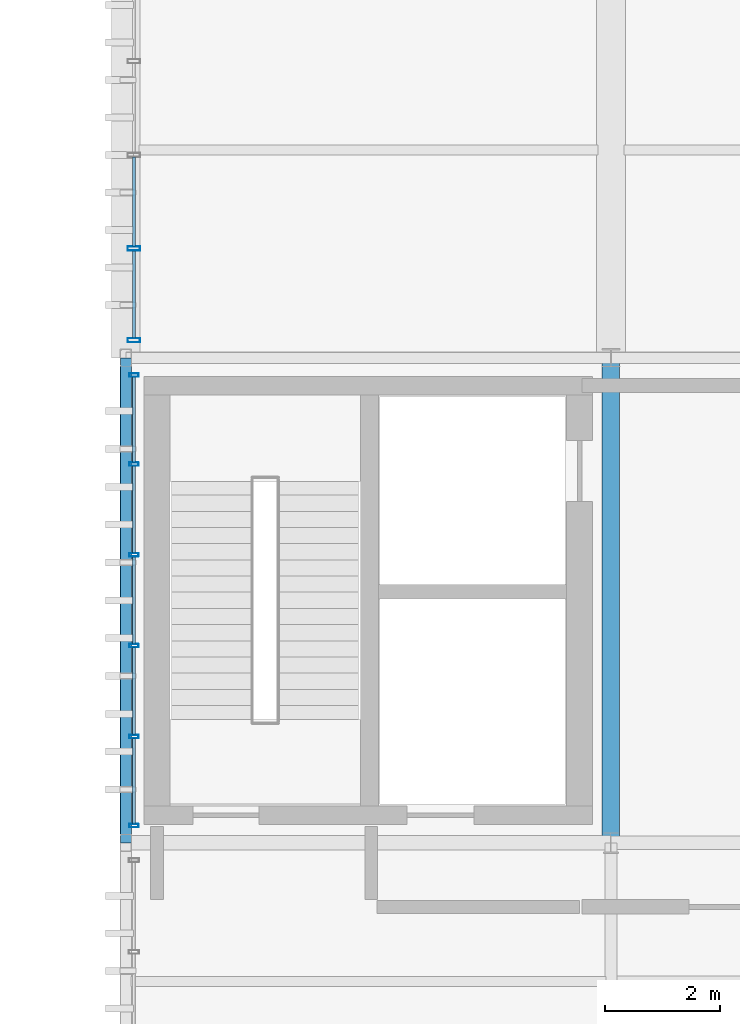
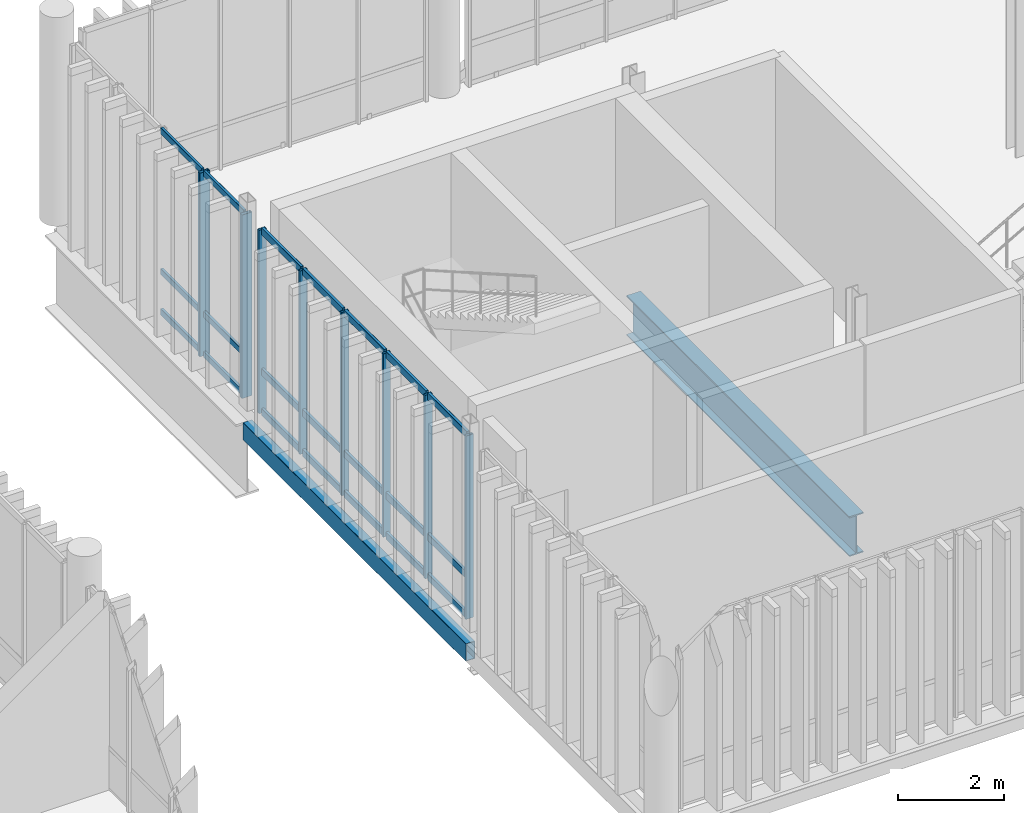
# One storey, part 26 of 86: 29 members, 2 beams, 2 elements without a shape of their own.
"""IFC4 building model written with IfcOpenShell, lengths in metres."""

from ifc_helpers import new_model, si_unit, direction, frame, origin_with_axes, origin_2d_with_axis, place, context, subcontext, project, spatial, hollow_rectangle, i_section, extrude, material, material_profile, profile_set, type_object, element, aggregate, save


model = new_model("IFC4")

# Units and contexts
model_context = context("Model", 3, precision=1e-05, world=origin_with_axes(), true_north=direction((0.0, 1.0)))
body_context = subcontext(model_context, "Body", "Model", "MODEL_VIEW")
ifc_project = project(units=[si_unit("LENGTHUNIT", "METRE"), si_unit("AREAUNIT", "SQUARE_METRE"), si_unit("VOLUMEUNIT", "CUBIC_METRE"), si_unit("PLANEANGLEUNIT", "RADIAN"), si_unit("MASSUNIT", "GRAM", prefix="KILO"), si_unit("THERMODYNAMICTEMPERATUREUNIT", "KELVIN")], contexts=[model_context])

# Site, building, storey
site_placement = place(None, origin_with_axes())
site = spatial("IfcSite", under=ifc_project, at=site_placement, CompositionType="ELEMENT")
building_placement = place(site_placement, origin_with_axes())
building = spatial("IfcBuilding", under=site, at=building_placement, Name="Montbau Bow Law Courts", CompositionType="ELEMENT")
storey_placement = place(building_placement, frame((0.0, 0.0, 29.7), z_axis=(0.0, 0.0, 1.0), x_axis=(1.0, 0.0, 0.0)))
storey = spatial("IfcBuildingStorey", under=building, at=storey_placement, Name="L06", CompositionType="ELEMENT", Elevation=29.7)

# Beams
ifc_material_1 = material(Name="Steel CSA G40.21 Grade 350W (350 MPa)", Category="steel")
ifc_material_profile_1 = material_profile(ifc_material_1, i_section(OverallWidth=0.306, OverallDepth=0.919, WebThickness=0.0173, FlangeThickness=0.0279, at=origin_2d_with_axis()), Name="W920X253", Category="Main", Priority=0)
ifc_profile_set_1 = profile_set([ifc_material_profile_1], Name="Steel CSA G40.21 Grade 350W (350 MPa)")
beam_type_1 = type_object("IfcBeamType", Name="B-FLR-01", PredefinedType="BEAM", material=ifc_profile_set_1)
beam_1_placement = place(None, frame((63.6, 46.2, 28.901), z_axis=(0.0, 1.0, 0.0), x_axis=(-1.0, 0.0, 0.0)))
element("IfcBeam", 1, at=beam_1_placement, inside=storey, type_object=beam_type_1, Name="BM-L06-S1008:bm2_1011", PredefinedType="BEAM", context=body_context, shape_type="SweptSolid", body=[
    extrude(i_section(OverallWidth=0.306, OverallDepth=0.919, WebThickness=0.0173, FlangeThickness=0.0279, at=origin_2d_with_axis()), origin_with_axes(), (0.0, 0.0, 1.0), 8.4),
])
ifc_material_2 = material(Name="Steel CSA G40.21 Grade 350WT (350 MPa)", Category="steel")
ifc_material_profile_2 = material_profile(ifc_material_2, hollow_rectangle(XDim=0.203, YDim=0.406, WallThickness=0.0127, InnerFilletRadius=0.0254, OuterFilletRadius=0.0127, at=origin_2d_with_axis()), Name="HSS406X203X13", Category="Main", Priority=0)
ifc_profile_set_2 = profile_set([ifc_material_profile_2], Name="Steel CSA G40.21 Grade 350WT (350 MPa)")
beam_type_2 = type_object("IfcBeamType", Name="B-SPN-01", PredefinedType="SPANDREL", material=ifc_profile_set_2)
beam_2_placement = place(None, frame((55.2, 46.2, 29.157), z_axis=(0.0, 1.0, 0.0), x_axis=(-1.0, 0.0, 0.0)))
element("IfcBeam", 2, at=beam_2_placement, inside=storey, type_object=beam_type_2, Name="SPN-L06-S1006:bm2_1009", PredefinedType="SPANDREL", context=body_context, shape_type="SweptSolid", body=[
    extrude(hollow_rectangle(XDim=0.203, YDim=0.406, WallThickness=0.0127, InnerFilletRadius=0.0254, OuterFilletRadius=0.0127, at=origin_2d_with_axis()), origin_with_axes(), (0.0, 0.0, 1.0), 8.4),
])

# Curtain wall, members
ifc_material_3 = material(Name="Thermally Broken Extruded Aluminium AA 6063-T6", Category="aluminium")
curtain_wall_type = type_object("IfcCurtainWallType", Name="CW-CRM-02", PredefinedType="NOTDEFINED", material=ifc_material_3)
curtain_wall_1_placement = place(None, frame((55.34, 54.868, 29.7), z_axis=(0.0, 0.0, 1.0), x_axis=(1.0, 0.0, 0.0)))
curtain_wall_1 = element("IfcCurtainWall", 3, at=curtain_wall_1_placement, inside=storey, type_object=curtain_wall_type, Name="CW-L06-237:cw_0237", PredefinedType="NOTDEFINED")
ifc_material_profile_3 = material_profile(ifc_material_3, hollow_rectangle(XDim=0.075, YDim=0.22, WallThickness=0.005, InnerFilletRadius=0.01, OuterFilletRadius=0.005, at=origin_2d_with_axis()), Name="CWM-220X75", Category="Main", Priority=0)
ifc_profile_set_3 = profile_set([ifc_material_profile_3], Name="Thermally Broken Extruded Aluminium AA 6063-T6")
member_type_1 = type_object("IfcMemberType", Name="M-MUL-01", PredefinedType="MULLION", material=ifc_profile_set_3)
member_1_placement = place(None, frame((55.34, 54.905, 29.7), z_axis=(0.0, 0.0, 1.0), x_axis=(0.0, 1.0, 0.0)))
member_1 = element("IfcMember", 4, at=member_1_placement, type_object=member_type_1, Name="CW-L06-237-M01:cw_0237_M01", PredefinedType="MULLION", context=body_context, shape_type="SweptSolid", body=[
    extrude(hollow_rectangle(XDim=0.075, YDim=0.22, WallThickness=0.005, InnerFilletRadius=0.01, OuterFilletRadius=0.005, at=origin_2d_with_axis()), origin_with_axes(), (0.0, 0.0, 1.0), 4.22),
])
member_2_placement = place(None, frame((55.34, 56.491, 29.7), z_axis=(0.0, 0.0, 1.0), x_axis=(0.0, 1.0, 0.0)))
member_2 = element("IfcMember", 5, at=member_2_placement, type_object=member_type_1, Name="CW-L06-237-M02:cw_0237_M02", PredefinedType="MULLION", context=body_context, shape_type="SweptSolid", body=[
    extrude(hollow_rectangle(XDim=0.075, YDim=0.22, WallThickness=0.005, InnerFilletRadius=0.01, OuterFilletRadius=0.005, at=origin_2d_with_axis()), origin_with_axes(), (0.0, 0.0, 1.0), 4.22),
])

curtain_wall_2_placement = place(None, frame((55.34, 46.468, 29.7), z_axis=(0.0, 0.0, 1.0), x_axis=(1.0, 0.0, 0.0)))
curtain_wall_2 = element("IfcCurtainWall", 6, at=curtain_wall_2_placement, inside=storey, type_object=curtain_wall_type, Name="CW-L06-236:cw_0236", PredefinedType="NOTDEFINED")
ifc_material_profile_4 = material_profile(ifc_material_3, hollow_rectangle(XDim=0.06, YDim=0.16, WallThickness=0.004, InnerFilletRadius=0.008, OuterFilletRadius=0.004, at=origin_2d_with_axis()), Name="CWM-160X60", Category="Main", Priority=0)
ifc_profile_set_4 = profile_set([ifc_material_profile_4], Name="Thermally Broken Extruded Aluminium AA 6063-T6")
member_type_2 = type_object("IfcMemberType", Name="M-MUL-03", PredefinedType="MULLION", material=ifc_profile_set_4)
member_3_placement = place(None, frame((55.34, 46.498, 29.7), z_axis=(0.0, 0.0, 1.0), x_axis=(0.0, 1.0, 0.0)))
member_3 = element("IfcMember", 7, at=member_3_placement, type_object=member_type_2, Name="CW-L06-236-M01:cw_0236_M01", PredefinedType="MULLION", context=body_context, shape_type="SweptSolid", body=[
    extrude(hollow_rectangle(XDim=0.06, YDim=0.16, WallThickness=0.004, InnerFilletRadius=0.008, OuterFilletRadius=0.004, at=origin_2d_with_axis()), origin_with_axes(), (0.0, 0.0, 1.0), 4.22),
])
member_4_placement = place(None, frame((55.34, 48.041, 29.7), z_axis=(0.0, 0.0, 1.0), x_axis=(0.0, 1.0, 0.0)))
member_4 = element("IfcMember", 8, at=member_4_placement, type_object=member_type_2, Name="CW-L06-236-M02:cw_0236_M02", PredefinedType="MULLION", context=body_context, shape_type="SweptSolid", body=[
    extrude(hollow_rectangle(XDim=0.06, YDim=0.16, WallThickness=0.004, InnerFilletRadius=0.008, OuterFilletRadius=0.004, at=origin_2d_with_axis()), origin_with_axes(), (0.0, 0.0, 1.0), 4.22),
])
member_5_placement = place(None, frame((55.34, 49.614, 29.7), z_axis=(0.0, 0.0, 1.0), x_axis=(0.0, 1.0, 0.0)))
member_5 = element("IfcMember", 9, at=member_5_placement, type_object=member_type_2, Name="CW-L06-236-M03:cw_0236_M03", PredefinedType="MULLION", context=body_context, shape_type="SweptSolid", body=[
    extrude(hollow_rectangle(XDim=0.06, YDim=0.16, WallThickness=0.004, InnerFilletRadius=0.008, OuterFilletRadius=0.004, at=origin_2d_with_axis()), origin_with_axes(), (0.0, 0.0, 1.0), 4.22),
])
member_6_placement = place(None, frame((55.34, 51.186, 29.7), z_axis=(0.0, 0.0, 1.0), x_axis=(0.0, 1.0, 0.0)))
member_6 = element("IfcMember", 10, at=member_6_placement, type_object=member_type_2, Name="CW-L06-236-M04:cw_0236_M04", PredefinedType="MULLION", context=body_context, shape_type="SweptSolid", body=[
    extrude(hollow_rectangle(XDim=0.06, YDim=0.16, WallThickness=0.004, InnerFilletRadius=0.008, OuterFilletRadius=0.004, at=origin_2d_with_axis()), origin_with_axes(), (0.0, 0.0, 1.0), 4.22),
])
member_7_placement = place(None, frame((55.34, 52.759, 29.7), z_axis=(0.0, 0.0, 1.0), x_axis=(0.0, 1.0, 0.0)))
member_7 = element("IfcMember", 11, at=member_7_placement, type_object=member_type_2, Name="CW-L06-236-M05:cw_0236_M05", PredefinedType="MULLION", context=body_context, shape_type="SweptSolid", body=[
    extrude(hollow_rectangle(XDim=0.06, YDim=0.16, WallThickness=0.004, InnerFilletRadius=0.008, OuterFilletRadius=0.004, at=origin_2d_with_axis()), origin_with_axes(), (0.0, 0.0, 1.0), 4.22),
])
member_8_placement = place(None, frame((55.34, 54.302, 29.7), z_axis=(0.0, 0.0, 1.0), x_axis=(0.0, 1.0, 0.0)))
member_8 = element("IfcMember", 12, at=member_8_placement, type_object=member_type_2, Name="CW-L06-236-M06:cw_0236_M06", PredefinedType="MULLION", context=body_context, shape_type="SweptSolid", body=[
    extrude(hollow_rectangle(XDim=0.06, YDim=0.16, WallThickness=0.004, InnerFilletRadius=0.008, OuterFilletRadius=0.004, at=origin_2d_with_axis()), origin_with_axes(), (0.0, 0.0, 1.0), 4.22),
])
ifc_material_profile_5 = material_profile(ifc_material_3, hollow_rectangle(XDim=0.06, YDim=0.16, WallThickness=0.004, InnerFilletRadius=0.008, OuterFilletRadius=0.004, at=origin_2d_with_axis()), Name="CWT-160X60", Category="Main", Priority=0)
ifc_profile_set_5 = profile_set([ifc_material_profile_5], Name="Thermally Broken Extruded Aluminium AA 6063-T6")
member_type_3 = type_object("IfcMemberType", Name="M-TRN-01", PredefinedType="USERDEFINED", material=ifc_profile_set_5)
member_9_placement = place(None, frame((55.34, 46.53, 29.73), z_axis=(0.0, 1.0, 0.0), x_axis=(-1.0, 0.0, 0.0)))
member_9 = element("IfcMember", 13, at=member_9_placement, type_object=member_type_3, Name="CW-L06-236-T01-1:cw_0236_T01_1", ObjectType="TRANSOM", PredefinedType="USERDEFINED", context=body_context, shape_type="SweptSolid", body=[
    extrude(hollow_rectangle(XDim=0.06, YDim=0.16, WallThickness=0.004, InnerFilletRadius=0.008, OuterFilletRadius=0.004, at=origin_2d_with_axis()), origin_with_axes(), (0.0, 0.0, 1.0), 1.479),
])
member_10_placement = place(None, frame((55.34, 46.53, 30.65), z_axis=(0.0, 1.0, 0.0), x_axis=(-1.0, 0.0, 0.0)))
member_10 = element("IfcMember", 14, at=member_10_placement, type_object=member_type_3, Name="CW-L06-236-T01-2:cw_0236_T01_2", ObjectType="TRANSOM", PredefinedType="USERDEFINED", context=body_context, shape_type="SweptSolid", body=[
    extrude(hollow_rectangle(XDim=0.06, YDim=0.16, WallThickness=0.004, InnerFilletRadius=0.008, OuterFilletRadius=0.004, at=origin_2d_with_axis()), origin_with_axes(), (0.0, 0.0, 1.0), 1.479),
])
member_11_placement = place(None, frame((55.34, 46.53, 33.89), z_axis=(0.0, 1.0, 0.0), x_axis=(-1.0, 0.0, 0.0)))
member_11 = element("IfcMember", 15, at=member_11_placement, type_object=member_type_3, Name="CW-L06-236-T01-3:cw_0236_T01_3", ObjectType="TRANSOM", PredefinedType="USERDEFINED", context=body_context, shape_type="SweptSolid", body=[
    extrude(hollow_rectangle(XDim=0.06, YDim=0.16, WallThickness=0.004, InnerFilletRadius=0.008, OuterFilletRadius=0.004, at=origin_2d_with_axis()), origin_with_axes(), (0.0, 0.0, 1.0), 1.479),
])
member_12_placement = place(None, frame((55.34, 48.073, 29.73), z_axis=(0.0, 1.0, 0.0), x_axis=(-1.0, 0.0, 0.0)))
member_12 = element("IfcMember", 16, at=member_12_placement, type_object=member_type_3, Name="CW-L06-236-T02-1:cw_0236_T02_1", ObjectType="TRANSOM", PredefinedType="USERDEFINED", context=body_context, shape_type="SweptSolid", body=[
    extrude(hollow_rectangle(XDim=0.06, YDim=0.16, WallThickness=0.004, InnerFilletRadius=0.008, OuterFilletRadius=0.004, at=origin_2d_with_axis()), origin_with_axes(), (0.0, 0.0, 1.0), 1.509),
])
member_13_placement = place(None, frame((55.34, 48.073, 30.65), z_axis=(0.0, 1.0, 0.0), x_axis=(-1.0, 0.0, 0.0)))
member_13 = element("IfcMember", 17, at=member_13_placement, type_object=member_type_3, Name="CW-L06-236-T02-2:cw_0236_T02_2", ObjectType="TRANSOM", PredefinedType="USERDEFINED", context=body_context, shape_type="SweptSolid", body=[
    extrude(hollow_rectangle(XDim=0.06, YDim=0.16, WallThickness=0.004, InnerFilletRadius=0.008, OuterFilletRadius=0.004, at=origin_2d_with_axis()), origin_with_axes(), (0.0, 0.0, 1.0), 1.509),
])
member_14_placement = place(None, frame((55.34, 48.073, 33.89), z_axis=(0.0, 1.0, 0.0), x_axis=(-1.0, 0.0, 0.0)))
member_14 = element("IfcMember", 18, at=member_14_placement, type_object=member_type_3, Name="CW-L06-236-T02-3:cw_0236_T02_3", ObjectType="TRANSOM", PredefinedType="USERDEFINED", context=body_context, shape_type="SweptSolid", body=[
    extrude(hollow_rectangle(XDim=0.06, YDim=0.16, WallThickness=0.004, InnerFilletRadius=0.008, OuterFilletRadius=0.004, at=origin_2d_with_axis()), origin_with_axes(), (0.0, 0.0, 1.0), 1.509),
])
member_15_placement = place(None, frame((55.34, 49.646, 29.73), z_axis=(0.0, 1.0, 0.0), x_axis=(-1.0, 0.0, 0.0)))
member_15 = element("IfcMember", 19, at=member_15_placement, type_object=member_type_3, Name="CW-L06-236-T03-1:cw_0236_T03_1", ObjectType="TRANSOM", PredefinedType="USERDEFINED", context=body_context, shape_type="SweptSolid", body=[
    extrude(hollow_rectangle(XDim=0.06, YDim=0.16, WallThickness=0.004, InnerFilletRadius=0.008, OuterFilletRadius=0.004, at=origin_2d_with_axis()), origin_with_axes(), (0.0, 0.0, 1.0), 1.508),
])
member_16_placement = place(None, frame((55.34, 49.646, 30.65), z_axis=(0.0, 1.0, 0.0), x_axis=(-1.0, 0.0, 0.0)))
member_16 = element("IfcMember", 20, at=member_16_placement, type_object=member_type_3, Name="CW-L06-236-T03-2:cw_0236_T03_2", ObjectType="TRANSOM", PredefinedType="USERDEFINED", context=body_context, shape_type="SweptSolid", body=[
    extrude(hollow_rectangle(XDim=0.06, YDim=0.16, WallThickness=0.004, InnerFilletRadius=0.008, OuterFilletRadius=0.004, at=origin_2d_with_axis()), origin_with_axes(), (0.0, 0.0, 1.0), 1.508),
])
member_17_placement = place(None, frame((55.34, 49.646, 33.89), z_axis=(0.0, 1.0, 0.0), x_axis=(-1.0, 0.0, 0.0)))
member_17 = element("IfcMember", 21, at=member_17_placement, type_object=member_type_3, Name="CW-L06-236-T03-3:cw_0236_T03_3", ObjectType="TRANSOM", PredefinedType="USERDEFINED", context=body_context, shape_type="SweptSolid", body=[
    extrude(hollow_rectangle(XDim=0.06, YDim=0.16, WallThickness=0.004, InnerFilletRadius=0.008, OuterFilletRadius=0.004, at=origin_2d_with_axis()), origin_with_axes(), (0.0, 0.0, 1.0), 1.508),
])
member_18_placement = place(None, frame((55.34, 51.218, 29.73), z_axis=(0.0, 1.0, 0.0), x_axis=(-1.0, 0.0, 0.0)))
member_18 = element("IfcMember", 22, at=member_18_placement, type_object=member_type_3, Name="CW-L06-236-T04-1:cw_0236_T04_1", ObjectType="TRANSOM", PredefinedType="USERDEFINED", context=body_context, shape_type="SweptSolid", body=[
    extrude(hollow_rectangle(XDim=0.06, YDim=0.16, WallThickness=0.004, InnerFilletRadius=0.008, OuterFilletRadius=0.004, at=origin_2d_with_axis()), origin_with_axes(), (0.0, 0.0, 1.0), 1.509),
])
member_19_placement = place(None, frame((55.34, 51.218, 30.65), z_axis=(0.0, 1.0, 0.0), x_axis=(-1.0, 0.0, 0.0)))
member_19 = element("IfcMember", 23, at=member_19_placement, type_object=member_type_3, Name="CW-L06-236-T04-2:cw_0236_T04_2", ObjectType="TRANSOM", PredefinedType="USERDEFINED", context=body_context, shape_type="SweptSolid", body=[
    extrude(hollow_rectangle(XDim=0.06, YDim=0.16, WallThickness=0.004, InnerFilletRadius=0.008, OuterFilletRadius=0.004, at=origin_2d_with_axis()), origin_with_axes(), (0.0, 0.0, 1.0), 1.509),
])
member_20_placement = place(None, frame((55.34, 51.218, 33.89), z_axis=(0.0, 1.0, 0.0), x_axis=(-1.0, 0.0, 0.0)))
member_20 = element("IfcMember", 24, at=member_20_placement, type_object=member_type_3, Name="CW-L06-236-T04-3:cw_0236_T04_3", ObjectType="TRANSOM", PredefinedType="USERDEFINED", context=body_context, shape_type="SweptSolid", body=[
    extrude(hollow_rectangle(XDim=0.06, YDim=0.16, WallThickness=0.004, InnerFilletRadius=0.008, OuterFilletRadius=0.004, at=origin_2d_with_axis()), origin_with_axes(), (0.0, 0.0, 1.0), 1.509),
])
member_21_placement = place(None, frame((55.34, 52.791, 29.73), z_axis=(0.0, 1.0, 0.0), x_axis=(-1.0, 0.0, 0.0)))
member_21 = element("IfcMember", 25, at=member_21_placement, type_object=member_type_3, Name="CW-L06-236-T05-1:cw_0236_T05_1", ObjectType="TRANSOM", PredefinedType="USERDEFINED", context=body_context, shape_type="SweptSolid", body=[
    extrude(hollow_rectangle(XDim=0.06, YDim=0.16, WallThickness=0.004, InnerFilletRadius=0.008, OuterFilletRadius=0.004, at=origin_2d_with_axis()), origin_with_axes(), (0.0, 0.0, 1.0), 1.479),
])
member_22_placement = place(None, frame((55.34, 52.791, 30.65), z_axis=(0.0, 1.0, 0.0), x_axis=(-1.0, 0.0, 0.0)))
member_22 = element("IfcMember", 26, at=member_22_placement, type_object=member_type_3, Name="CW-L06-236-T05-2:cw_0236_T05_2", ObjectType="TRANSOM", PredefinedType="USERDEFINED", context=body_context, shape_type="SweptSolid", body=[
    extrude(hollow_rectangle(XDim=0.06, YDim=0.16, WallThickness=0.004, InnerFilletRadius=0.008, OuterFilletRadius=0.004, at=origin_2d_with_axis()), origin_with_axes(), (0.0, 0.0, 1.0), 1.479),
])
member_23_placement = place(None, frame((55.34, 52.791, 33.89), z_axis=(0.0, 1.0, 0.0), x_axis=(-1.0, 0.0, 0.0)))
member_23 = element("IfcMember", 27, at=member_23_placement, type_object=member_type_3, Name="CW-L06-236-T05-3:cw_0236_T05_3", ObjectType="TRANSOM", PredefinedType="USERDEFINED", context=body_context, shape_type="SweptSolid", body=[
    extrude(hollow_rectangle(XDim=0.06, YDim=0.16, WallThickness=0.004, InnerFilletRadius=0.008, OuterFilletRadius=0.004, at=origin_2d_with_axis()), origin_with_axes(), (0.0, 0.0, 1.0), 1.479),
])
aggregate(curtain_wall_2, [member_3, member_4, member_5, member_6, member_7, member_8, member_9, member_10, member_11, member_12, member_13, member_14, member_15, member_16, member_17, member_18, member_19, member_20, member_21, member_22, member_23])

# Member
ifc_material_profile_6 = material_profile(ifc_material_3, hollow_rectangle(XDim=0.055, YDim=0.14, WallThickness=0.004, InnerFilletRadius=0.008, OuterFilletRadius=0.004, at=origin_2d_with_axis()), Name="CWT-140X55", Category="Main", Priority=0)
ifc_profile_set_6 = profile_set([ifc_material_profile_6], Name="Thermally Broken Extruded Aluminium AA 6063-T6")
member_type_4 = type_object("IfcMemberType", Name="M-TRN-02", PredefinedType="USERDEFINED", material=ifc_profile_set_6)
member_24_placement = place(None, frame((55.34, 54.944, 29.727), z_axis=(0.0, 1.0, 0.0), x_axis=(-1.0, 0.0, 0.0)))
member_24 = element("IfcMember", 28, at=member_24_placement, type_object=member_type_4, Name="CW-L06-237-T01-1:cw_0237_T01_1", ObjectType="TRANSOM", PredefinedType="USERDEFINED", context=body_context, shape_type="SweptSolid", body=[
    extrude(hollow_rectangle(XDim=0.055, YDim=0.14, WallThickness=0.004, InnerFilletRadius=0.008, OuterFilletRadius=0.004, at=origin_2d_with_axis()), origin_with_axes(), (0.0, 0.0, 1.0), 1.507),
])

member_25_placement = place(None, frame((55.34, 54.944, 30.65), z_axis=(0.0, 1.0, 0.0), x_axis=(-1.0, 0.0, 0.0)))
member_25 = element("IfcMember", 29, at=member_25_placement, type_object=member_type_4, Name="CW-L06-237-T01-2:cw_0237_T01_2", ObjectType="TRANSOM", PredefinedType="USERDEFINED", context=body_context, shape_type="SweptSolid", body=[
    extrude(hollow_rectangle(XDim=0.055, YDim=0.14, WallThickness=0.004, InnerFilletRadius=0.008, OuterFilletRadius=0.004, at=origin_2d_with_axis()), origin_with_axes(), (0.0, 0.0, 1.0), 1.507),
])

member_26_placement = place(None, frame((55.34, 54.944, 33.892), z_axis=(0.0, 1.0, 0.0), x_axis=(-1.0, 0.0, 0.0)))
member_26 = element("IfcMember", 30, at=member_26_placement, type_object=member_type_4, Name="CW-L06-237-T01-3:cw_0237_T01_3", ObjectType="TRANSOM", PredefinedType="USERDEFINED", context=body_context, shape_type="SweptSolid", body=[
    extrude(hollow_rectangle(XDim=0.055, YDim=0.14, WallThickness=0.004, InnerFilletRadius=0.008, OuterFilletRadius=0.004, at=origin_2d_with_axis()), origin_with_axes(), (0.0, 0.0, 1.0), 1.507),
])

member_27_placement = place(None, frame((55.34, 56.531, 29.727), z_axis=(0.0, 1.0, 0.0), x_axis=(-1.0, 0.0, 0.0)))
member_27 = element("IfcMember", 31, at=member_27_placement, type_object=member_type_4, Name="CW-L06-237-T02-1:cw_0237_T02_1", ObjectType="TRANSOM", PredefinedType="USERDEFINED", context=body_context, shape_type="SweptSolid", body=[
    extrude(hollow_rectangle(XDim=0.055, YDim=0.14, WallThickness=0.004, InnerFilletRadius=0.008, OuterFilletRadius=0.004, at=origin_2d_with_axis()), origin_with_axes(), (0.0, 0.0, 1.0), 1.544),
])

member_28_placement = place(None, frame((55.34, 56.531, 30.65), z_axis=(0.0, 1.0, 0.0), x_axis=(-1.0, 0.0, 0.0)))
member_28 = element("IfcMember", 32, at=member_28_placement, type_object=member_type_4, Name="CW-L06-237-T02-2:cw_0237_T02_2", ObjectType="TRANSOM", PredefinedType="USERDEFINED", context=body_context, shape_type="SweptSolid", body=[
    extrude(hollow_rectangle(XDim=0.055, YDim=0.14, WallThickness=0.004, InnerFilletRadius=0.008, OuterFilletRadius=0.004, at=origin_2d_with_axis()), origin_with_axes(), (0.0, 0.0, 1.0), 1.544),
])

member_29_placement = place(None, frame((55.34, 56.531, 33.892), z_axis=(0.0, 1.0, 0.0), x_axis=(-1.0, 0.0, 0.0)))
member_29 = element("IfcMember", 33, at=member_29_placement, type_object=member_type_4, Name="CW-L06-237-T02-3:cw_0237_T02_3", ObjectType="TRANSOM", PredefinedType="USERDEFINED", context=body_context, shape_type="SweptSolid", body=[
    extrude(hollow_rectangle(XDim=0.055, YDim=0.14, WallThickness=0.004, InnerFilletRadius=0.008, OuterFilletRadius=0.004, at=origin_2d_with_axis()), origin_with_axes(), (0.0, 0.0, 1.0), 1.544),
])

aggregate(curtain_wall_1, [member_1, member_2, member_24, member_25, member_26, member_27, member_28, member_29])

save(model, "model.ifc")
